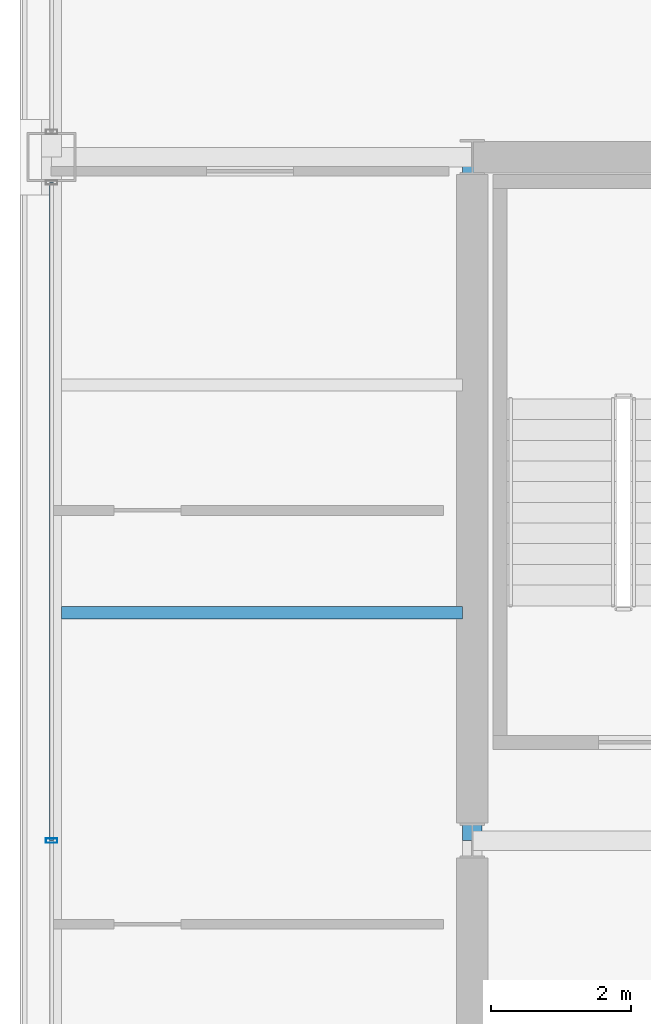
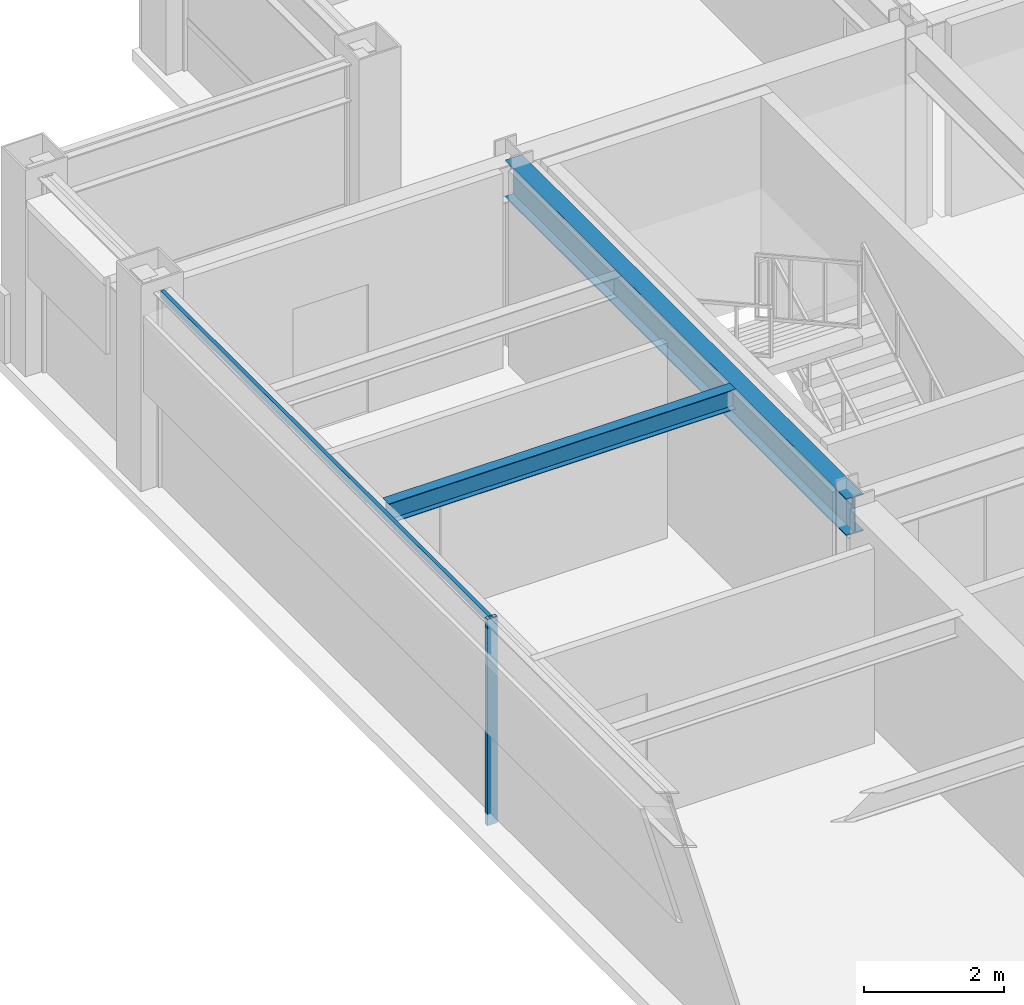
# One storey, part 8 of 28: 2 beams, 2 members, 1 element without a shape of its own.
"""IFC4 building model written with IfcOpenShell, lengths in metres."""

from ifc_helpers import new_model, si_unit, direction, frame, origin, origin_2d, place, context, subcontext, project, spatial, hollow_rectangle, i_section, extrude, material, layer, layer_set, material_profile, profile_set, type_object, element, aggregate, save


model = new_model("IFC4")

# Units and contexts
model_context = context("Model", 3, precision=1e-05, world=origin(), true_north=direction((0.0, 1.0)))
body_context = subcontext(model_context, "Body", "Model", "MODEL_VIEW")
ifc_project = project(units=[si_unit("LENGTHUNIT", "METRE"), si_unit("AREAUNIT", "SQUARE_METRE"), si_unit("VOLUMEUNIT", "CUBIC_METRE"), si_unit("PLANEANGLEUNIT", "RADIAN"), si_unit("MASSUNIT", "GRAM", prefix="KILO")], contexts=[model_context])

# Site, building, storey
site_placement = place(None, origin())
site = spatial("IfcSite", under=ifc_project, at=site_placement, CompositionType="ELEMENT")
building_placement = place(site_placement, origin())
building = spatial("IfcBuilding", under=site, at=building_placement, Name="Brelmoor Portico Tower", CompositionType="ELEMENT")
storey_placement = place(building_placement, frame((0.0, 0.0, 191.10009765625)))
storey = spatial("IfcBuildingStorey", under=building, at=storey_placement, Name="L50", CompositionType="ELEMENT", Elevation=191.10009765625)

# Beams
ifc_material_1 = material(Name="Steel Q355B", Category="steel")
ifc_material_profile_1 = material_profile(ifc_material_1, i_section(OverallWidth=0.175048828125, OverallDepth=0.35009765625, WebThickness=0.007080078125, FlangeThickness=0.010986328125, at=origin_2d()), Name="HN 350x175x7x11")
ifc_profile_set_1 = profile_set([ifc_material_profile_1], Name="Steel Q355B")
beam_type_1 = type_object("IfcBeamType", Name="BM-JS-350", PredefinedType="JOIST", material=ifc_profile_set_1)
beam_1_placement = place(storey_placement, frame((-20.409912109375, 3.25, 3.224853515625), z_axis=(1.0, 0.0, 0.0), x_axis=(0.0, 1.0, 0.0)))
element("IfcBeam", 1, at=beam_1_placement, inside=storey, type_object=beam_type_1, Name="L50 Secondary Wing Joist JS-W07", PredefinedType="JOIST", context=body_context, shape_type="SweptSolid", body=[
    extrude(i_section(OverallWidth=0.175048828125, OverallDepth=0.35009765625, WebThickness=0.007080078125, FlangeThickness=0.010986328125, at=origin_2d()), origin(), (0.0, 0.0, 1.0), 5.719970703125),
])
ifc_material_profile_2 = material_profile(ifc_material_1, i_section(OverallWidth=0.280029296875, OverallDepth=0.64990234375, WebThickness=0.012939453125, FlangeThickness=0.02197265625, at=origin_2d()), Name="HN 650x280x13x22")
ifc_profile_set_2 = profile_set([ifc_material_profile_2], Name="Steel Q355B")
beam_type_2 = type_object("IfcBeamType", Name="BM-PG-650", PredefinedType="BEAM", material=ifc_profile_set_2)
beam_2_placement = place(storey_placement, frame((-14.550048828125, 0.0, 3.074951171875), z_axis=(0.0, 1.0, 0.0), x_axis=(-1.0, 0.0, 0.0)))
element("IfcBeam", 2, at=beam_2_placement, inside=storey, type_object=beam_type_2, Name="L50 Primary Floor Girder PG-02", PredefinedType="BEAM", context=body_context, shape_type="SweptSolid", body=[
    extrude(i_section(OverallWidth=0.280029296875, OverallDepth=0.64990234375, WebThickness=0.012939453125, FlangeThickness=0.02197265625, at=origin_2d()), origin(), (0.0, 0.0, 1.0), 9.75),
])

# Curtain wall, members
ifc_material_2 = material(Name="Anodised Aluminium Alloy 6063-T6", Category="aluminium")
ifc_layer = layer(ifc_material_2, 0.179931640625)
ifc_layer_set = layer_set([ifc_layer], Name="Anodised Aluminium Alloy 6063-T6")
curtain_wall_type = type_object("IfcCurtainWallType", Name="CW-TOWER-Z3-XB", PredefinedType="NOTDEFINED", material=ifc_layer_set)
curtain_wall_placement = place(storey_placement, origin())
curtain_wall = element("IfcCurtainWall", 3, at=curtain_wall_placement, inside=storey, type_object=curtain_wall_type, Name="L50 Curtain Wall CW-L50-03-2", PredefinedType="NOTDEFINED")
ifc_material_profile_3 = material_profile(ifc_material_2, hollow_rectangle(XDim=0.06494140625, YDim=0.1650390625, WallThickness=0.00390625, at=origin_2d()), Name="ALU MULLION 65x165")
ifc_profile_set_3 = profile_set([ifc_material_profile_3], Name="Anodised Aluminium Alloy 6063-T6")
member_type_1 = type_object("IfcMemberType", Name="MB-CW-MULL-165", PredefinedType="MULLION", material=ifc_profile_set_3)
member_1_placement = place(storey_placement, frame((-20.550048828125, 0.0, -0.2001953125), z_axis=(0.0, 0.0, 1.0), x_axis=(0.0, 1.0, 0.0)))
member_1 = element("IfcMember", 4, at=member_1_placement, type_object=member_type_1, Name="CW-L50-03-2 Mullion 01", PredefinedType="MULLION", context=body_context, shape_type="SweptSolid", body=[
    extrude(hollow_rectangle(XDim=0.06494140625, YDim=0.1650390625, WallThickness=0.00390625, at=origin_2d()), origin(), (0.0, 0.0, 1.0), 3.60009765625),
])
ifc_material_profile_4 = material_profile(ifc_material_2, hollow_rectangle(XDim=0.06005859375, YDim=0.125, WallThickness=0.00341796875, at=origin_2d()), Name="ALU TRANSOM 60x125")
ifc_profile_set_4 = profile_set([ifc_material_profile_4], Name="Anodised Aluminium Alloy 6063-T6")
member_type_2 = type_object("IfcMemberType", Name="MB-CW-TRAN-125", PredefinedType="USERDEFINED", material=ifc_profile_set_4)
member_2_placement = place(storey_placement, frame((-20.550048828125, 0.0, 3.33740234375), z_axis=(0.0, 1.0, 0.0), x_axis=(-1.0, 0.0, 0.0)))
member_2 = element("IfcMember", 5, at=member_2_placement, type_object=member_type_2, Name="CW-L50-03-2 Transom 1-01", ObjectType="TRANSOM", PredefinedType="USERDEFINED", context=body_context, shape_type="SweptSolid", body=[
    extrude(hollow_rectangle(XDim=0.06005859375, YDim=0.125, WallThickness=0.00341796875, at=origin_2d()), origin(), (0.0, 0.0, 1.0), 9.389892578125),
])
aggregate(curtain_wall, [member_1, member_2])

save(model, "model.ifc")
